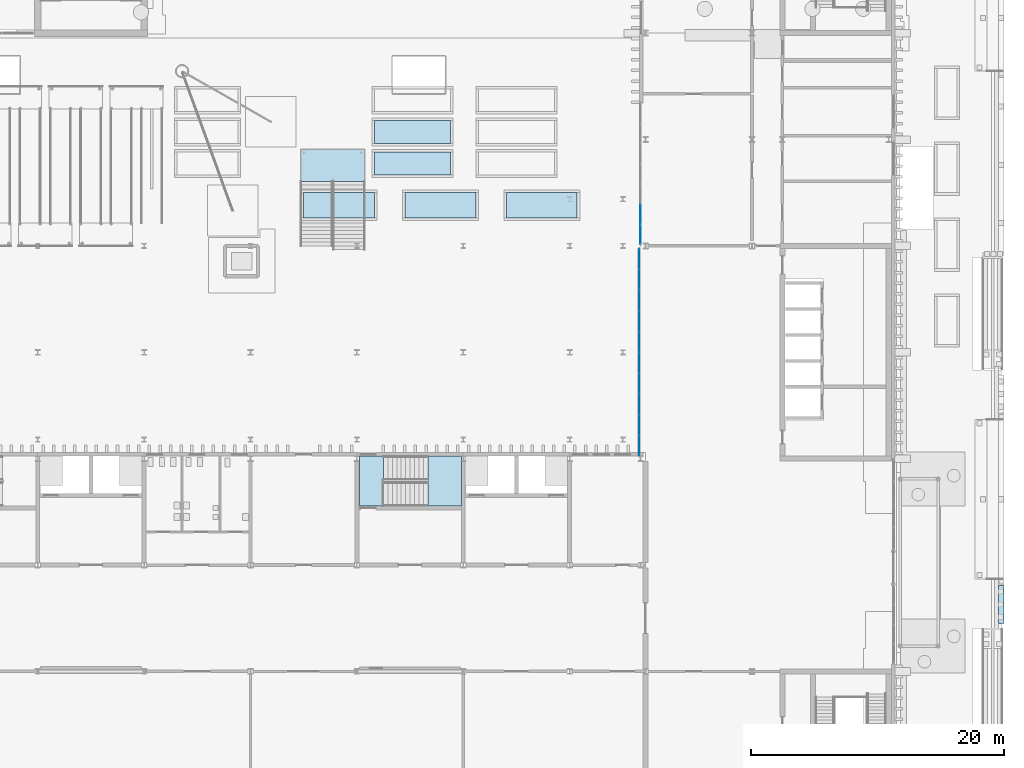
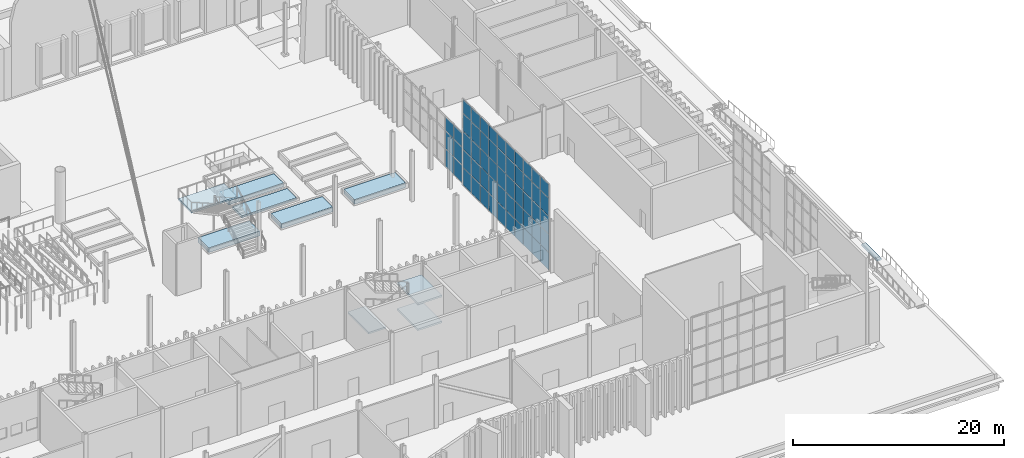
# One storey, part 50 of 108: 56 plates, 10 slabs, 4 elements without a shape of their own.
"""IFC4 building model written with IfcOpenShell, lengths in metres."""

from ifc_helpers import new_model, si_unit, direction, frame, origin, origin_2d, place, context, subcontext, project, spatial, polyline, rectangle, outline, extrude, material, layer, layer_set, type_object, element, aggregate, save


model = new_model("IFC4")

# Units and contexts
model_context = context("Model", 3, precision=1e-05, world=origin(), true_north=direction((0.0, 1.0)))
body_context = subcontext(model_context, "Body", "Model", "MODEL_VIEW")
ifc_project = project(units=[si_unit("LENGTHUNIT", "METRE"), si_unit("AREAUNIT", "SQUARE_METRE"), si_unit("VOLUMEUNIT", "CUBIC_METRE"), si_unit("PLANEANGLEUNIT", "RADIAN"), si_unit("MASSUNIT", "GRAM", prefix="KILO")], contexts=[model_context])

# Site, building, storey
site_placement = place(None, origin())
site = spatial("IfcSite", under=ifc_project, at=site_placement, CompositionType="ELEMENT")
building_placement = place(site_placement, origin())
building = spatial("IfcBuilding", under=site, at=building_placement, Name="Cresset Court Congress Hotel", CompositionType="ELEMENT")
storey_placement = place(building_placement, origin())
storey = spatial("IfcBuildingStorey", under=building, at=storey_placement, Name="L00", CompositionType="ELEMENT", Elevation=0.0)

# Curtain wall, plates
ifc_material_1 = material(Name="Aluminium and glass", Category="aluminium")
curtain_wall_type = type_object("IfcCurtainWallType", Name="Curtain wall 1680 module", PredefinedType="NOTDEFINED", material=ifc_material_1)
curtain_wall_1_placement = place(storey_placement, origin())
curtain_wall_1 = element("IfcCurtainWall", 1, at=curtain_wall_1_placement, inside=storey, type_object=curtain_wall_type, Name="Lobby glazing west", PredefinedType="NOTDEFINED")
ifc_material_2 = material(Name="Laminated glass", Category="glass")
ifc_layer_1 = layer(ifc_material_2, 0.028076171875)
ifc_layer_set_1 = layer_set([ifc_layer_1], Name="Curtain wall glass panel 28")
plate_type_1 = type_object("IfcPlateType", Name="Curtain wall glass panel 28", PredefinedType="CURTAIN_PANEL", material=ifc_layer_set_1)
plate_1_placement = place(storey_placement, frame((156.699951171875, 26.235107421875, 0.06005859375), z_axis=(0.0, 0.0, 1.0), x_axis=(0.0, 1.0, 0.0)))
plate_1 = element("IfcPlate", 2, at=plate_1_placement, type_object=plate_type_1, Name="A-X1 panel 1.1", PredefinedType="CURTAIN_PANEL", context=body_context, shape_type="SweptSolid", body=[
    extrude(rectangle(XDim=1.550048828125, YDim=0.028076171875, at=origin_2d()), origin(), (0.0, 0.0, 1.0), 2.010009765625),
])
plate_2_placement = place(storey_placement, frame((156.699951171875, 26.235107421875, 2.1298828125), z_axis=(0.0, 0.0, 1.0), x_axis=(0.0, 1.0, 0.0)))
plate_2 = element("IfcPlate", 3, at=plate_2_placement, type_object=plate_type_1, Name="A-X1 panel 1.2", PredefinedType="CURTAIN_PANEL", context=body_context, shape_type="SweptSolid", body=[
    extrude(rectangle(XDim=1.550048828125, YDim=0.028076171875, at=origin_2d()), origin(), (0.0, 0.0, 1.0), 2.0400390625),
])
plate_3_placement = place(storey_placement, frame((156.699951171875, 26.235107421875, 4.22998046875), z_axis=(0.0, 0.0, 1.0), x_axis=(0.0, 1.0, 0.0)))
plate_3 = element("IfcPlate", 4, at=plate_3_placement, type_object=plate_type_1, Name="A-X1 panel 1.3", PredefinedType="CURTAIN_PANEL", context=body_context, shape_type="SweptSolid", body=[
    extrude(rectangle(XDim=1.550048828125, YDim=0.028076171875, at=origin_2d()), origin(), (0.0, 0.0, 1.0), 2.0400390625),
])
plate_4_placement = place(storey_placement, frame((156.699951171875, 26.235107421875, 6.330078125), z_axis=(0.0, 0.0, 1.0), x_axis=(0.0, 1.0, 0.0)))
plate_4 = element("IfcPlate", 5, at=plate_4_placement, type_object=plate_type_1, Name="A-X1 panel 1.4", PredefinedType="CURTAIN_PANEL", context=body_context, shape_type="SweptSolid", body=[
    extrude(rectangle(XDim=1.550048828125, YDim=0.028076171875, at=origin_2d()), origin(), (0.0, 0.0, 1.0), 2.0400390625),
])
plate_5_placement = place(storey_placement, frame((156.699951171875, 26.235107421875, 8.429931640625), z_axis=(0.0, 0.0, 1.0), x_axis=(0.0, 1.0, 0.0)))
plate_5 = element("IfcPlate", 6, at=plate_5_placement, type_object=plate_type_1, Name="A-X1 panel 1.5", PredefinedType="CURTAIN_PANEL", context=body_context, shape_type="SweptSolid", body=[
    extrude(rectangle(XDim=1.550048828125, YDim=0.028076171875, at=origin_2d()), origin(), (0.0, 0.0, 1.0), 1.56005859375),
])
plate_6_placement = place(storey_placement, frame((156.699951171875, 27.860107421875, 0.06005859375), z_axis=(0.0, 0.0, 1.0), x_axis=(0.0, 1.0, 0.0)))
plate_6 = element("IfcPlate", 7, at=plate_6_placement, type_object=plate_type_1, Name="A-X1 panel 2.1", PredefinedType="CURTAIN_PANEL", context=body_context, shape_type="SweptSolid", body=[
    extrude(rectangle(XDim=1.580078125, YDim=0.028076171875, at=origin_2d()), origin(), (0.0, 0.0, 1.0), 2.010009765625),
])
plate_7_placement = place(storey_placement, frame((156.699951171875, 27.860107421875, 2.1298828125), z_axis=(0.0, 0.0, 1.0), x_axis=(0.0, 1.0, 0.0)))
plate_7 = element("IfcPlate", 8, at=plate_7_placement, type_object=plate_type_1, Name="A-X1 panel 2.2", PredefinedType="CURTAIN_PANEL", context=body_context, shape_type="SweptSolid", body=[
    extrude(rectangle(XDim=1.580078125, YDim=0.028076171875, at=origin_2d()), origin(), (0.0, 0.0, 1.0), 2.0400390625),
])
plate_8_placement = place(storey_placement, frame((156.699951171875, 27.860107421875, 4.22998046875), z_axis=(0.0, 0.0, 1.0), x_axis=(0.0, 1.0, 0.0)))
plate_8 = element("IfcPlate", 9, at=plate_8_placement, type_object=plate_type_1, Name="A-X1 panel 2.3", PredefinedType="CURTAIN_PANEL", context=body_context, shape_type="SweptSolid", body=[
    extrude(rectangle(XDim=1.580078125, YDim=0.028076171875, at=origin_2d()), origin(), (0.0, 0.0, 1.0), 2.0400390625),
])
plate_9_placement = place(storey_placement, frame((156.699951171875, 27.860107421875, 6.330078125), z_axis=(0.0, 0.0, 1.0), x_axis=(0.0, 1.0, 0.0)))
plate_9 = element("IfcPlate", 10, at=plate_9_placement, type_object=plate_type_1, Name="A-X1 panel 2.4", PredefinedType="CURTAIN_PANEL", context=body_context, shape_type="SweptSolid", body=[
    extrude(rectangle(XDim=1.580078125, YDim=0.028076171875, at=origin_2d()), origin(), (0.0, 0.0, 1.0), 2.0400390625),
])
plate_10_placement = place(storey_placement, frame((156.699951171875, 27.860107421875, 8.429931640625), z_axis=(0.0, 0.0, 1.0), x_axis=(0.0, 1.0, 0.0)))
plate_10 = element("IfcPlate", 11, at=plate_10_placement, type_object=plate_type_1, Name="A-X1 panel 2.5", PredefinedType="CURTAIN_PANEL", context=body_context, shape_type="SweptSolid", body=[
    extrude(rectangle(XDim=1.580078125, YDim=0.028076171875, at=origin_2d()), origin(), (0.0, 0.0, 1.0), 1.56005859375),
])
plate_11_placement = place(storey_placement, frame((156.699951171875, 29.5, 0.06005859375), z_axis=(0.0, 0.0, 1.0), x_axis=(0.0, 1.0, 0.0)))
plate_11 = element("IfcPlate", 12, at=plate_11_placement, type_object=plate_type_1, Name="A-X1 panel 3.1", PredefinedType="CURTAIN_PANEL", context=body_context, shape_type="SweptSolid", body=[
    extrude(rectangle(XDim=1.580078125, YDim=0.028076171875, at=origin_2d()), origin(), (0.0, 0.0, 1.0), 2.010009765625),
])
plate_12_placement = place(storey_placement, frame((156.699951171875, 29.5, 2.1298828125), z_axis=(0.0, 0.0, 1.0), x_axis=(0.0, 1.0, 0.0)))
plate_12 = element("IfcPlate", 13, at=plate_12_placement, type_object=plate_type_1, Name="A-X1 panel 3.2", PredefinedType="CURTAIN_PANEL", context=body_context, shape_type="SweptSolid", body=[
    extrude(rectangle(XDim=1.580078125, YDim=0.028076171875, at=origin_2d()), origin(), (0.0, 0.0, 1.0), 2.0400390625),
])
plate_13_placement = place(storey_placement, frame((156.699951171875, 29.5, 4.22998046875), z_axis=(0.0, 0.0, 1.0), x_axis=(0.0, 1.0, 0.0)))
plate_13 = element("IfcPlate", 14, at=plate_13_placement, type_object=plate_type_1, Name="A-X1 panel 3.3", PredefinedType="CURTAIN_PANEL", context=body_context, shape_type="SweptSolid", body=[
    extrude(rectangle(XDim=1.580078125, YDim=0.028076171875, at=origin_2d()), origin(), (0.0, 0.0, 1.0), 2.0400390625),
])
plate_14_placement = place(storey_placement, frame((156.699951171875, 29.5, 6.330078125), z_axis=(0.0, 0.0, 1.0), x_axis=(0.0, 1.0, 0.0)))
plate_14 = element("IfcPlate", 15, at=plate_14_placement, type_object=plate_type_1, Name="A-X1 panel 3.4", PredefinedType="CURTAIN_PANEL", context=body_context, shape_type="SweptSolid", body=[
    extrude(rectangle(XDim=1.580078125, YDim=0.028076171875, at=origin_2d()), origin(), (0.0, 0.0, 1.0), 2.0400390625),
])
plate_15_placement = place(storey_placement, frame((156.699951171875, 29.5, 8.429931640625), z_axis=(0.0, 0.0, 1.0), x_axis=(0.0, 1.0, 0.0)))
plate_15 = element("IfcPlate", 16, at=plate_15_placement, type_object=plate_type_1, Name="A-X1 panel 3.5", PredefinedType="CURTAIN_PANEL", context=body_context, shape_type="SweptSolid", body=[
    extrude(rectangle(XDim=1.580078125, YDim=0.028076171875, at=origin_2d()), origin(), (0.0, 0.0, 1.0), 1.56005859375),
])
plate_16_placement = place(storey_placement, frame((156.699951171875, 31.139892578125, 0.06005859375), z_axis=(0.0, 0.0, 1.0), x_axis=(0.0, 1.0, 0.0)))
plate_16 = element("IfcPlate", 17, at=plate_16_placement, type_object=plate_type_1, Name="A-X1 panel 4.1", PredefinedType="CURTAIN_PANEL", context=body_context, shape_type="SweptSolid", body=[
    extrude(rectangle(XDim=1.580078125, YDim=0.028076171875, at=origin_2d()), origin(), (0.0, 0.0, 1.0), 2.010009765625),
])
plate_17_placement = place(storey_placement, frame((156.699951171875, 31.139892578125, 2.1298828125), z_axis=(0.0, 0.0, 1.0), x_axis=(0.0, 1.0, 0.0)))
plate_17 = element("IfcPlate", 18, at=plate_17_placement, type_object=plate_type_1, Name="A-X1 panel 4.2", PredefinedType="CURTAIN_PANEL", context=body_context, shape_type="SweptSolid", body=[
    extrude(rectangle(XDim=1.580078125, YDim=0.028076171875, at=origin_2d()), origin(), (0.0, 0.0, 1.0), 2.0400390625),
])
plate_18_placement = place(storey_placement, frame((156.699951171875, 31.139892578125, 4.22998046875), z_axis=(0.0, 0.0, 1.0), x_axis=(0.0, 1.0, 0.0)))
plate_18 = element("IfcPlate", 19, at=plate_18_placement, type_object=plate_type_1, Name="A-X1 panel 4.3", PredefinedType="CURTAIN_PANEL", context=body_context, shape_type="SweptSolid", body=[
    extrude(rectangle(XDim=1.580078125, YDim=0.028076171875, at=origin_2d()), origin(), (0.0, 0.0, 1.0), 2.0400390625),
])
plate_19_placement = place(storey_placement, frame((156.699951171875, 31.139892578125, 6.330078125), z_axis=(0.0, 0.0, 1.0), x_axis=(0.0, 1.0, 0.0)))
plate_19 = element("IfcPlate", 20, at=plate_19_placement, type_object=plate_type_1, Name="A-X1 panel 4.4", PredefinedType="CURTAIN_PANEL", context=body_context, shape_type="SweptSolid", body=[
    extrude(rectangle(XDim=1.580078125, YDim=0.028076171875, at=origin_2d()), origin(), (0.0, 0.0, 1.0), 2.0400390625),
])
plate_20_placement = place(storey_placement, frame((156.699951171875, 31.139892578125, 8.429931640625), z_axis=(0.0, 0.0, 1.0), x_axis=(0.0, 1.0, 0.0)))
plate_20 = element("IfcPlate", 21, at=plate_20_placement, type_object=plate_type_1, Name="A-X1 panel 4.5", PredefinedType="CURTAIN_PANEL", context=body_context, shape_type="SweptSolid", body=[
    extrude(rectangle(XDim=1.580078125, YDim=0.028076171875, at=origin_2d()), origin(), (0.0, 0.0, 1.0), 1.56005859375),
])
plate_21_placement = place(storey_placement, frame((156.699951171875, 32.780029296875, 0.06005859375), z_axis=(0.0, 0.0, 1.0), x_axis=(0.0, 1.0, 0.0)))
plate_21 = element("IfcPlate", 22, at=plate_21_placement, type_object=plate_type_1, Name="A-X1 panel 5.1", PredefinedType="CURTAIN_PANEL", context=body_context, shape_type="SweptSolid", body=[
    extrude(rectangle(XDim=1.580078125, YDim=0.028076171875, at=origin_2d()), origin(), (0.0, 0.0, 1.0), 2.010009765625),
])
plate_22_placement = place(storey_placement, frame((156.699951171875, 32.780029296875, 2.1298828125), z_axis=(0.0, 0.0, 1.0), x_axis=(0.0, 1.0, 0.0)))
plate_22 = element("IfcPlate", 23, at=plate_22_placement, type_object=plate_type_1, Name="A-X1 panel 5.2", PredefinedType="CURTAIN_PANEL", context=body_context, shape_type="SweptSolid", body=[
    extrude(rectangle(XDim=1.580078125, YDim=0.028076171875, at=origin_2d()), origin(), (0.0, 0.0, 1.0), 2.0400390625),
])
plate_23_placement = place(storey_placement, frame((156.699951171875, 32.780029296875, 4.22998046875), z_axis=(0.0, 0.0, 1.0), x_axis=(0.0, 1.0, 0.0)))
plate_23 = element("IfcPlate", 24, at=plate_23_placement, type_object=plate_type_1, Name="A-X1 panel 5.3", PredefinedType="CURTAIN_PANEL", context=body_context, shape_type="SweptSolid", body=[
    extrude(rectangle(XDim=1.580078125, YDim=0.028076171875, at=origin_2d()), origin(), (0.0, 0.0, 1.0), 2.0400390625),
])
plate_24_placement = place(storey_placement, frame((156.699951171875, 32.780029296875, 6.330078125), z_axis=(0.0, 0.0, 1.0), x_axis=(0.0, 1.0, 0.0)))
plate_24 = element("IfcPlate", 25, at=plate_24_placement, type_object=plate_type_1, Name="A-X1 panel 5.4", PredefinedType="CURTAIN_PANEL", context=body_context, shape_type="SweptSolid", body=[
    extrude(rectangle(XDim=1.580078125, YDim=0.028076171875, at=origin_2d()), origin(), (0.0, 0.0, 1.0), 2.0400390625),
])
plate_25_placement = place(storey_placement, frame((156.699951171875, 32.780029296875, 8.429931640625), z_axis=(0.0, 0.0, 1.0), x_axis=(0.0, 1.0, 0.0)))
plate_25 = element("IfcPlate", 26, at=plate_25_placement, type_object=plate_type_1, Name="A-X1 panel 5.5", PredefinedType="CURTAIN_PANEL", context=body_context, shape_type="SweptSolid", body=[
    extrude(rectangle(XDim=1.580078125, YDim=0.028076171875, at=origin_2d()), origin(), (0.0, 0.0, 1.0), 1.56005859375),
])
plate_26_placement = place(storey_placement, frame((156.699951171875, 34.419921875, 0.06005859375), z_axis=(0.0, 0.0, 1.0), x_axis=(0.0, 1.0, 0.0)))
plate_26 = element("IfcPlate", 27, at=plate_26_placement, type_object=plate_type_1, Name="A-X1 panel 6.1", PredefinedType="CURTAIN_PANEL", context=body_context, shape_type="SweptSolid", body=[
    extrude(rectangle(XDim=1.580078125, YDim=0.028076171875, at=origin_2d()), origin(), (0.0, 0.0, 1.0), 2.010009765625),
])
plate_27_placement = place(storey_placement, frame((156.699951171875, 34.419921875, 2.1298828125), z_axis=(0.0, 0.0, 1.0), x_axis=(0.0, 1.0, 0.0)))
plate_27 = element("IfcPlate", 28, at=plate_27_placement, type_object=plate_type_1, Name="A-X1 panel 6.2", PredefinedType="CURTAIN_PANEL", context=body_context, shape_type="SweptSolid", body=[
    extrude(rectangle(XDim=1.580078125, YDim=0.028076171875, at=origin_2d()), origin(), (0.0, 0.0, 1.0), 2.0400390625),
])
plate_28_placement = place(storey_placement, frame((156.699951171875, 34.419921875, 4.22998046875), z_axis=(0.0, 0.0, 1.0), x_axis=(0.0, 1.0, 0.0)))
plate_28 = element("IfcPlate", 29, at=plate_28_placement, type_object=plate_type_1, Name="A-X1 panel 6.3", PredefinedType="CURTAIN_PANEL", context=body_context, shape_type="SweptSolid", body=[
    extrude(rectangle(XDim=1.580078125, YDim=0.028076171875, at=origin_2d()), origin(), (0.0, 0.0, 1.0), 2.0400390625),
])
plate_29_placement = place(storey_placement, frame((156.699951171875, 34.419921875, 6.330078125), z_axis=(0.0, 0.0, 1.0), x_axis=(0.0, 1.0, 0.0)))
plate_29 = element("IfcPlate", 30, at=plate_29_placement, type_object=plate_type_1, Name="A-X1 panel 6.4", PredefinedType="CURTAIN_PANEL", context=body_context, shape_type="SweptSolid", body=[
    extrude(rectangle(XDim=1.580078125, YDim=0.028076171875, at=origin_2d()), origin(), (0.0, 0.0, 1.0), 2.0400390625),
])
plate_30_placement = place(storey_placement, frame((156.699951171875, 34.419921875, 8.429931640625), z_axis=(0.0, 0.0, 1.0), x_axis=(0.0, 1.0, 0.0)))
plate_30 = element("IfcPlate", 31, at=plate_30_placement, type_object=plate_type_1, Name="A-X1 panel 6.5", PredefinedType="CURTAIN_PANEL", context=body_context, shape_type="SweptSolid", body=[
    extrude(rectangle(XDim=1.580078125, YDim=0.028076171875, at=origin_2d()), origin(), (0.0, 0.0, 1.0), 1.56005859375),
])
plate_31_placement = place(storey_placement, frame((156.699951171875, 36.06005859375, 0.06005859375), z_axis=(0.0, 0.0, 1.0), x_axis=(0.0, 1.0, 0.0)))
plate_31 = element("IfcPlate", 32, at=plate_31_placement, type_object=plate_type_1, Name="A-X1 panel 7.1", PredefinedType="CURTAIN_PANEL", context=body_context, shape_type="SweptSolid", body=[
    extrude(rectangle(XDim=1.580078125, YDim=0.028076171875, at=origin_2d()), origin(), (0.0, 0.0, 1.0), 2.010009765625),
])
plate_32_placement = place(storey_placement, frame((156.699951171875, 36.06005859375, 2.1298828125), z_axis=(0.0, 0.0, 1.0), x_axis=(0.0, 1.0, 0.0)))
plate_32 = element("IfcPlate", 33, at=plate_32_placement, type_object=plate_type_1, Name="A-X1 panel 7.2", PredefinedType="CURTAIN_PANEL", context=body_context, shape_type="SweptSolid", body=[
    extrude(rectangle(XDim=1.580078125, YDim=0.028076171875, at=origin_2d()), origin(), (0.0, 0.0, 1.0), 2.0400390625),
])
plate_33_placement = place(storey_placement, frame((156.699951171875, 36.06005859375, 4.22998046875), z_axis=(0.0, 0.0, 1.0), x_axis=(0.0, 1.0, 0.0)))
plate_33 = element("IfcPlate", 34, at=plate_33_placement, type_object=plate_type_1, Name="A-X1 panel 7.3", PredefinedType="CURTAIN_PANEL", context=body_context, shape_type="SweptSolid", body=[
    extrude(rectangle(XDim=1.580078125, YDim=0.028076171875, at=origin_2d()), origin(), (0.0, 0.0, 1.0), 2.0400390625),
])
plate_34_placement = place(storey_placement, frame((156.699951171875, 36.06005859375, 6.330078125), z_axis=(0.0, 0.0, 1.0), x_axis=(0.0, 1.0, 0.0)))
plate_34 = element("IfcPlate", 35, at=plate_34_placement, type_object=plate_type_1, Name="A-X1 panel 7.4", PredefinedType="CURTAIN_PANEL", context=body_context, shape_type="SweptSolid", body=[
    extrude(rectangle(XDim=1.580078125, YDim=0.028076171875, at=origin_2d()), origin(), (0.0, 0.0, 1.0), 2.0400390625),
])
plate_35_placement = place(storey_placement, frame((156.699951171875, 36.06005859375, 8.429931640625), z_axis=(0.0, 0.0, 1.0), x_axis=(0.0, 1.0, 0.0)))
plate_35 = element("IfcPlate", 36, at=plate_35_placement, type_object=plate_type_1, Name="A-X1 panel 7.5", PredefinedType="CURTAIN_PANEL", context=body_context, shape_type="SweptSolid", body=[
    extrude(rectangle(XDim=1.580078125, YDim=0.028076171875, at=origin_2d()), origin(), (0.0, 0.0, 1.0), 1.56005859375),
])
plate_36_placement = place(storey_placement, frame((156.699951171875, 37.699951171875, 0.06005859375), z_axis=(0.0, 0.0, 1.0), x_axis=(0.0, 1.0, 0.0)))
plate_36 = element("IfcPlate", 37, at=plate_36_placement, type_object=plate_type_1, Name="A-X1 panel 8.1", PredefinedType="CURTAIN_PANEL", context=body_context, shape_type="SweptSolid", body=[
    extrude(rectangle(XDim=1.580078125, YDim=0.028076171875, at=origin_2d()), origin(), (0.0, 0.0, 1.0), 2.010009765625),
])
plate_37_placement = place(storey_placement, frame((156.699951171875, 37.699951171875, 2.1298828125), z_axis=(0.0, 0.0, 1.0), x_axis=(0.0, 1.0, 0.0)))
plate_37 = element("IfcPlate", 38, at=plate_37_placement, type_object=plate_type_1, Name="A-X1 panel 8.2", PredefinedType="CURTAIN_PANEL", context=body_context, shape_type="SweptSolid", body=[
    extrude(rectangle(XDim=1.580078125, YDim=0.028076171875, at=origin_2d()), origin(), (0.0, 0.0, 1.0), 2.0400390625),
])
plate_38_placement = place(storey_placement, frame((156.699951171875, 37.699951171875, 4.22998046875), z_axis=(0.0, 0.0, 1.0), x_axis=(0.0, 1.0, 0.0)))
plate_38 = element("IfcPlate", 39, at=plate_38_placement, type_object=plate_type_1, Name="A-X1 panel 8.3", PredefinedType="CURTAIN_PANEL", context=body_context, shape_type="SweptSolid", body=[
    extrude(rectangle(XDim=1.580078125, YDim=0.028076171875, at=origin_2d()), origin(), (0.0, 0.0, 1.0), 2.0400390625),
])
plate_39_placement = place(storey_placement, frame((156.699951171875, 37.699951171875, 6.330078125), z_axis=(0.0, 0.0, 1.0), x_axis=(0.0, 1.0, 0.0)))
plate_39 = element("IfcPlate", 40, at=plate_39_placement, type_object=plate_type_1, Name="A-X1 panel 8.4", PredefinedType="CURTAIN_PANEL", context=body_context, shape_type="SweptSolid", body=[
    extrude(rectangle(XDim=1.580078125, YDim=0.028076171875, at=origin_2d()), origin(), (0.0, 0.0, 1.0), 2.0400390625),
])
plate_40_placement = place(storey_placement, frame((156.699951171875, 37.699951171875, 8.429931640625), z_axis=(0.0, 0.0, 1.0), x_axis=(0.0, 1.0, 0.0)))
plate_40 = element("IfcPlate", 41, at=plate_40_placement, type_object=plate_type_1, Name="A-X1 panel 8.5", PredefinedType="CURTAIN_PANEL", context=body_context, shape_type="SweptSolid", body=[
    extrude(rectangle(XDim=1.580078125, YDim=0.028076171875, at=origin_2d()), origin(), (0.0, 0.0, 1.0), 1.56005859375),
])
plate_41_placement = place(storey_placement, frame((156.699951171875, 39.340087890625, 0.06005859375), z_axis=(0.0, 0.0, 1.0), x_axis=(0.0, 1.0, 0.0)))
plate_41 = element("IfcPlate", 42, at=plate_41_placement, type_object=plate_type_1, Name="A-X1 panel 9.1", PredefinedType="CURTAIN_PANEL", context=body_context, shape_type="SweptSolid", body=[
    extrude(rectangle(XDim=1.580078125, YDim=0.028076171875, at=origin_2d()), origin(), (0.0, 0.0, 1.0), 2.010009765625),
])
plate_42_placement = place(storey_placement, frame((156.699951171875, 39.340087890625, 2.1298828125), z_axis=(0.0, 0.0, 1.0), x_axis=(0.0, 1.0, 0.0)))
plate_42 = element("IfcPlate", 43, at=plate_42_placement, type_object=plate_type_1, Name="A-X1 panel 9.2", PredefinedType="CURTAIN_PANEL", context=body_context, shape_type="SweptSolid", body=[
    extrude(rectangle(XDim=1.580078125, YDim=0.028076171875, at=origin_2d()), origin(), (0.0, 0.0, 1.0), 2.0400390625),
])
plate_43_placement = place(storey_placement, frame((156.699951171875, 39.340087890625, 4.22998046875), z_axis=(0.0, 0.0, 1.0), x_axis=(0.0, 1.0, 0.0)))
plate_43 = element("IfcPlate", 44, at=plate_43_placement, type_object=plate_type_1, Name="A-X1 panel 9.3", PredefinedType="CURTAIN_PANEL", context=body_context, shape_type="SweptSolid", body=[
    extrude(rectangle(XDim=1.580078125, YDim=0.028076171875, at=origin_2d()), origin(), (0.0, 0.0, 1.0), 2.0400390625),
])
plate_44_placement = place(storey_placement, frame((156.699951171875, 39.340087890625, 6.330078125), z_axis=(0.0, 0.0, 1.0), x_axis=(0.0, 1.0, 0.0)))
plate_44 = element("IfcPlate", 45, at=plate_44_placement, type_object=plate_type_1, Name="A-X1 panel 9.4", PredefinedType="CURTAIN_PANEL", context=body_context, shape_type="SweptSolid", body=[
    extrude(rectangle(XDim=1.580078125, YDim=0.028076171875, at=origin_2d()), origin(), (0.0, 0.0, 1.0), 2.0400390625),
])
plate_45_placement = place(storey_placement, frame((156.699951171875, 39.340087890625, 8.429931640625), z_axis=(0.0, 0.0, 1.0), x_axis=(0.0, 1.0, 0.0)))
plate_45 = element("IfcPlate", 46, at=plate_45_placement, type_object=plate_type_1, Name="A-X1 panel 9.5", PredefinedType="CURTAIN_PANEL", context=body_context, shape_type="SweptSolid", body=[
    extrude(rectangle(XDim=1.580078125, YDim=0.028076171875, at=origin_2d()), origin(), (0.0, 0.0, 1.0), 1.56005859375),
])
plate_46_placement = place(storey_placement, frame((156.699951171875, 40.965087890625, 0.06005859375), z_axis=(0.0, 0.0, 1.0), x_axis=(0.0, 1.0, 0.0)))
plate_46 = element("IfcPlate", 47, at=plate_46_placement, type_object=plate_type_1, Name="A-X1 panel 10.1", PredefinedType="CURTAIN_PANEL", context=body_context, shape_type="SweptSolid", body=[
    extrude(rectangle(XDim=1.550048828125, YDim=0.028076171875, at=origin_2d()), origin(), (0.0, 0.0, 1.0), 2.010009765625),
])
plate_47_placement = place(storey_placement, frame((156.699951171875, 40.965087890625, 2.1298828125), z_axis=(0.0, 0.0, 1.0), x_axis=(0.0, 1.0, 0.0)))
plate_47 = element("IfcPlate", 48, at=plate_47_placement, type_object=plate_type_1, Name="A-X1 panel 10.2", PredefinedType="CURTAIN_PANEL", context=body_context, shape_type="SweptSolid", body=[
    extrude(rectangle(XDim=1.550048828125, YDim=0.028076171875, at=origin_2d()), origin(), (0.0, 0.0, 1.0), 2.0400390625),
])
plate_48_placement = place(storey_placement, frame((156.699951171875, 40.965087890625, 4.22998046875), z_axis=(0.0, 0.0, 1.0), x_axis=(0.0, 1.0, 0.0)))
plate_48 = element("IfcPlate", 49, at=plate_48_placement, type_object=plate_type_1, Name="A-X1 panel 10.3", PredefinedType="CURTAIN_PANEL", context=body_context, shape_type="SweptSolid", body=[
    extrude(rectangle(XDim=1.550048828125, YDim=0.028076171875, at=origin_2d()), origin(), (0.0, 0.0, 1.0), 2.0400390625),
])
plate_49_placement = place(storey_placement, frame((156.699951171875, 40.965087890625, 6.330078125), z_axis=(0.0, 0.0, 1.0), x_axis=(0.0, 1.0, 0.0)))
plate_49 = element("IfcPlate", 50, at=plate_49_placement, type_object=plate_type_1, Name="A-X1 panel 10.4", PredefinedType="CURTAIN_PANEL", context=body_context, shape_type="SweptSolid", body=[
    extrude(rectangle(XDim=1.550048828125, YDim=0.028076171875, at=origin_2d()), origin(), (0.0, 0.0, 1.0), 2.0400390625),
])
plate_50_placement = place(storey_placement, frame((156.699951171875, 40.965087890625, 8.429931640625), z_axis=(0.0, 0.0, 1.0), x_axis=(0.0, 1.0, 0.0)))
plate_50 = element("IfcPlate", 51, at=plate_50_placement, type_object=plate_type_1, Name="A-X1 panel 10.5", PredefinedType="CURTAIN_PANEL", context=body_context, shape_type="SweptSolid", body=[
    extrude(rectangle(XDim=1.550048828125, YDim=0.028076171875, at=origin_2d()), origin(), (0.0, 0.0, 1.0), 1.56005859375),
])
aggregate(curtain_wall_1, [plate_1, plate_2, plate_3, plate_4, plate_5, plate_6, plate_7, plate_8, plate_9, plate_10, plate_11, plate_12, plate_13, plate_14, plate_15, plate_16, plate_17, plate_18, plate_19, plate_20, plate_21, plate_22, plate_23, plate_24, plate_25, plate_26, plate_27, plate_28, plate_29, plate_30, plate_31, plate_32, plate_33, plate_34, plate_35, plate_36, plate_37, plate_38, plate_39, plate_40, plate_41, plate_42, plate_43, plate_44, plate_45, plate_46, plate_47, plate_48, plate_49, plate_50])

curtain_wall_2_placement = place(storey_placement, origin())
curtain_wall_2 = element("IfcCurtainWall", 52, at=curtain_wall_2_placement, inside=storey, type_object=curtain_wall_type, Name="Garden restaurant glazing west", PredefinedType="NOTDEFINED")
ifc_material_3 = material(Name="Laminated glass", Category="glass")
ifc_layer_2 = layer(ifc_material_3, 0.0439453125)
ifc_layer_set_2 = layer_set([ifc_layer_2], Name="Curtain wall laminated glass panel 44")
plate_type_2 = type_object("IfcPlateType", Name="Curtain wall laminated glass panel 44", PredefinedType="CURTAIN_PANEL", material=ifc_layer_set_2)
plate_51_placement = place(storey_placement, frame((156.800048828125, 42.9150390625, 0.06005859375), z_axis=(0.0, 0.0, 1.0), x_axis=(0.0, 1.0, 0.0)))
plate_51 = element("IfcPlate", 53, at=plate_51_placement, type_object=plate_type_2, Name="A-X1 panel 1.1", PredefinedType="CURTAIN_PANEL", context=body_context, shape_type="SweptSolid", body=[
    extrude(rectangle(XDim=1.510009765625, YDim=0.028076171875, at=origin_2d()), origin(), (0.0, 0.0, 1.0), 2.010009765625),
])
plate_52_placement = place(storey_placement, frame((156.800048828125, 42.9150390625, 2.1298828125), z_axis=(0.0, 0.0, 1.0), x_axis=(0.0, 1.0, 0.0)))
plate_52 = element("IfcPlate", 54, at=plate_52_placement, type_object=plate_type_2, Name="A-X1 panel 1.2", PredefinedType="CURTAIN_PANEL", context=body_context, shape_type="SweptSolid", body=[
    extrude(rectangle(XDim=1.510009765625, YDim=0.028076171875, at=origin_2d()), origin(), (0.0, 0.0, 1.0), 2.0400390625),
])
plate_53_placement = place(storey_placement, frame((156.800048828125, 42.9150390625, 4.22998046875), z_axis=(0.0, 0.0, 1.0), x_axis=(0.0, 1.0, 0.0)))
plate_53 = element("IfcPlate", 55, at=plate_53_placement, type_object=plate_type_2, Name="A-X1 panel 1.3", PredefinedType="CURTAIN_PANEL", context=body_context, shape_type="SweptSolid", body=[
    extrude(rectangle(XDim=1.510009765625, YDim=0.028076171875, at=origin_2d()), origin(), (0.0, 0.0, 1.0), 1.56005859375),
])
plate_54_placement = place(storey_placement, frame((156.800048828125, 44.5, 0.06005859375), z_axis=(0.0, 0.0, 1.0), x_axis=(0.0, 1.0, 0.0)))
plate_54 = element("IfcPlate", 56, at=plate_54_placement, type_object=plate_type_2, Name="A-X1 panel 2.1", PredefinedType="CURTAIN_PANEL", context=body_context, shape_type="SweptSolid", body=[
    extrude(rectangle(XDim=1.5400390625, YDim=0.028076171875, at=origin_2d()), origin(), (0.0, 0.0, 1.0), 2.010009765625),
])
plate_55_placement = place(storey_placement, frame((156.800048828125, 44.5, 2.1298828125), z_axis=(0.0, 0.0, 1.0), x_axis=(0.0, 1.0, 0.0)))
plate_55 = element("IfcPlate", 57, at=plate_55_placement, type_object=plate_type_2, Name="A-X1 panel 2.2", PredefinedType="CURTAIN_PANEL", context=body_context, shape_type="SweptSolid", body=[
    extrude(rectangle(XDim=1.5400390625, YDim=0.028076171875, at=origin_2d()), origin(), (0.0, 0.0, 1.0), 2.0400390625),
])
plate_56_placement = place(storey_placement, frame((156.800048828125, 44.5, 4.22998046875), z_axis=(0.0, 0.0, 1.0), x_axis=(0.0, 1.0, 0.0)))
plate_56 = element("IfcPlate", 58, at=plate_56_placement, type_object=plate_type_2, Name="A-X1 panel 2.3", PredefinedType="CURTAIN_PANEL", context=body_context, shape_type="SweptSolid", body=[
    extrude(rectangle(XDim=1.5400390625, YDim=0.028076171875, at=origin_2d()), origin(), (0.0, 0.0, 1.0), 1.56005859375),
])
aggregate(curtain_wall_2, [plate_51, plate_52, plate_53, plate_54, plate_55, plate_56])

# Slabs
ifc_material_4 = material(Name="Planting soil")
ifc_layer_3 = layer(ifc_material_4, 0.25)
ifc_layer_set_3 = layer_set([ifc_layer_3], Name="Planter soil 250")
slab_type_1 = type_object("IfcSlabType", Name="Planter soil 250", PredefinedType="FLOOR", material=ifc_layer_set_3)
slab_1_placement = place(storey_placement, origin())
element("IfcSlab", 59, at=slab_1_placement, inside=storey, type_object=slab_type_1, Name="Terrace planting bed 13", PredefinedType="FLOOR", context=body_context, shape_type="SweptSolid", body=[
    extrude(outline(polyline([(135.800048828125, 47.60009765625), (141.800048828125, 47.60009765625), (141.800048828125, 49.39990234375), (135.800048828125, 49.39990234375), (135.800048828125, 47.60009765625)])), origin(), (0.0, 0.0, 1.0), 0.25),
])
ifc_material_5 = material(Name="Planting soil")
ifc_layer_4 = layer(ifc_material_5, 0.449951171875)
ifc_layer_set_4 = layer_set([ifc_layer_4], Name="Planter soil 450")
slab_type_2 = type_object("IfcSlabType", Name="Planter soil 450", PredefinedType="FLOOR", material=ifc_layer_set_4)
slab_2_placement = place(storey_placement, origin())
element("IfcSlab", 60, at=slab_2_placement, inside=storey, type_object=slab_type_2, Name="Terrace planting bed 14", PredefinedType="FLOOR", context=body_context, shape_type="SweptSolid", body=[
    extrude(outline(polyline([(135.800048828125, 50.10009765625), (141.800048828125, 50.10009765625), (141.800048828125, 51.89990234375), (135.800048828125, 51.89990234375), (135.800048828125, 50.10009765625)])), origin(), (0.0, 0.0, 1.0), 0.449951171875),
])
ifc_material_6 = material(Name="Planting soil")
ifc_layer_5 = layer(ifc_material_6, 0.550048828125)
ifc_layer_set_5 = layer_set([ifc_layer_5], Name="Planter soil 550")
slab_type_3 = type_object("IfcSlabType", Name="Planter soil 550", PredefinedType="FLOOR", material=ifc_layer_set_5)
slab_3_placement = place(storey_placement, origin())
element("IfcSlab", 61, at=slab_3_placement, inside=storey, type_object=slab_type_3, Name="Planting bed 16", PredefinedType="FLOOR", context=body_context, shape_type="SweptSolid", body=[
    extrude(outline(polyline([(130.199951171875, 44.199951171875), (135.800048828125, 44.199951171875), (135.800048828125, 46.199951171875), (130.199951171875, 46.199951171875), (130.199951171875, 44.199951171875)])), origin(), (0.0, 0.0, 1.0), 0.550048828125),
])
slab_4_placement = place(storey_placement, origin())
element("IfcSlab", 62, at=slab_4_placement, inside=storey, type_object=slab_type_3, Name="Planting bed 17", PredefinedType="FLOOR", context=body_context, shape_type="SweptSolid", body=[
    extrude(outline(polyline([(138.199951171875, 44.199951171875), (143.800048828125, 44.199951171875), (143.800048828125, 46.199951171875), (138.199951171875, 46.199951171875), (138.199951171875, 44.199951171875)])), origin(), (0.0, 0.0, 1.0), 0.550048828125),
])
slab_5_placement = place(storey_placement, origin())
element("IfcSlab", 63, at=slab_5_placement, inside=storey, type_object=slab_type_3, Name="Planting bed 18", PredefinedType="FLOOR", context=body_context, shape_type="SweptSolid", body=[
    extrude(outline(polyline([(146.199951171875, 44.199951171875), (151.800048828125, 44.199951171875), (151.800048828125, 46.199951171875), (146.199951171875, 46.199951171875), (146.199951171875, 44.199951171875)])), origin(), (0.0, 0.0, 1.0), 0.550048828125),
])

# Stair, slab
ifc_material_7 = material(Name="Concrete C35", Category="concrete")
stair_type_1 = type_object("IfcStairType", Name="Deck stair", PredefinedType="HALF_TURN_STAIR", material=ifc_material_7)
stair_1_placement = place(storey_placement, origin())
stair_1 = element("IfcStair", 64, at=stair_1_placement, inside=storey, type_object=stair_type_1, Name="Deck stair D03", PredefinedType="HALF_TURN_STAIR")
ifc_material_8 = material(Name="Concrete C40", Category="concrete")
ifc_layer_6 = layer(ifc_material_8, 0.199951171875)
ifc_layer_set_6 = layer_set([ifc_layer_6], Name="Stair landing 200")
slab_type_4 = type_object("IfcSlabType", Name="Stair landing 200", PredefinedType="LANDING", material=ifc_layer_set_6)
slab_6_placement = place(storey_placement, frame((0.0, 0.0, 2.881103515625)))
slab_6 = element("IfcSlab", 65, at=slab_6_placement, type_object=slab_type_4, Name="S-ST2 landing 1", PredefinedType="LANDING", context=body_context, shape_type="SweptSolid", body=[
    extrude(outline(polyline([(130.0, 47.10009765625), (135.0, 47.10009765625), (135.0, 49.60009765625), (130.0, 49.60009765625), (130.0, 47.10009765625)])), origin(), (0.0, 0.0, 1.0), 0.199951171875),
])
aggregate(stair_1, [slab_6])

# Stair, slabs
ifc_material_9 = material(Name="Concrete C40", Category="concrete")
stair_type_2 = type_object("IfcStairType", Name="Dog-leg stair 1400 flights", PredefinedType="HALF_TURN_STAIR", material=ifc_material_9)
stair_2_placement = place(storey_placement, origin())
stair_2 = element("IfcStair", 66, at=stair_2_placement, inside=storey, type_object=stair_type_2, Name="L00 Stair ST-B5", PredefinedType="HALF_TURN_STAIR")
slab_7_placement = place(storey_placement, frame((0.0, 0.0, 1.300048828125)))
slab_7 = element("IfcSlab", 67, at=slab_7_placement, type_object=slab_type_4, Name="ST-B5 landing 1", PredefinedType="LANDING", context=body_context, shape_type="SweptSolid", body=[
    extrude(outline(polyline([(140.0, 21.449951171875), (142.64990234375, 21.449951171875), (142.64990234375, 25.39990234375), (140.0, 25.39990234375), (140.0, 21.449951171875)])), origin(), (0.0, 0.0, 1.0), 0.199951171875),
])
slab_8_placement = place(storey_placement, frame((0.0, 0.0, 2.800048828125)))
slab_8 = element("IfcSlab", 68, at=slab_8_placement, type_object=slab_type_4, Name="ST-B5 landing 2", PredefinedType="LANDING", context=body_context, shape_type="SweptSolid", body=[
    extrude(outline(polyline([(134.60009765625, 21.449951171875), (136.5, 21.449951171875), (136.5, 25.39990234375), (134.60009765625, 25.39990234375), (134.60009765625, 21.449951171875)])), origin(), (0.0, 0.0, 1.0), 0.199951171875),
])
slab_9_placement = place(storey_placement, frame((0.0, 0.0, 4.300048828125)))
slab_9 = element("IfcSlab", 69, at=slab_9_placement, type_object=slab_type_4, Name="ST-B5 landing 3", PredefinedType="LANDING", context=body_context, shape_type="SweptSolid", body=[
    extrude(outline(polyline([(140.0, 21.449951171875), (142.64990234375, 21.449951171875), (142.64990234375, 25.39990234375), (140.0, 25.39990234375), (140.0, 21.449951171875)])), origin(), (0.0, 0.0, 1.0), 0.199951171875),
])
aggregate(stair_2, [slab_7, slab_8, slab_9])

# Slab
ifc_material_10 = material(Name="Concrete C35", Category="concrete")
ifc_layer_7 = layer(ifc_material_10, 0.199951171875)
ifc_layer_set_7 = layer_set([ifc_layer_7], Name="Street apron slab 200")
slab_type_5 = type_object("IfcSlabType", Name="Street apron slab 200", PredefinedType="FLOOR", material=ifc_layer_set_7)
slab_10_placement = place(storey_placement, frame((0.0, 0.0, -0.800048828125)))
element("IfcSlab", 70, at=slab_10_placement, inside=storey, type_object=slab_type_5, Name="Street apron E02", PredefinedType="FLOOR", context=body_context, shape_type="SweptSolid", body=[
    extrude(outline(polyline([(185.050048828125, 12.199951171875), (185.498046875, 12.199951171875), (185.498046875, 15.199951171875), (185.050048828125, 15.199951171875), (185.050048828125, 12.199951171875)])), origin(), (0.0, 0.0, 1.0), 0.199951171875),
])

save(model, "model.ifc")
